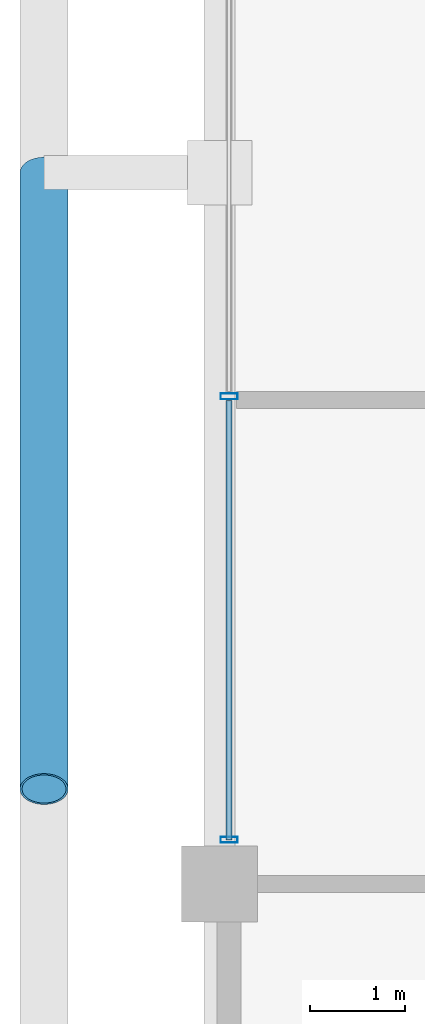
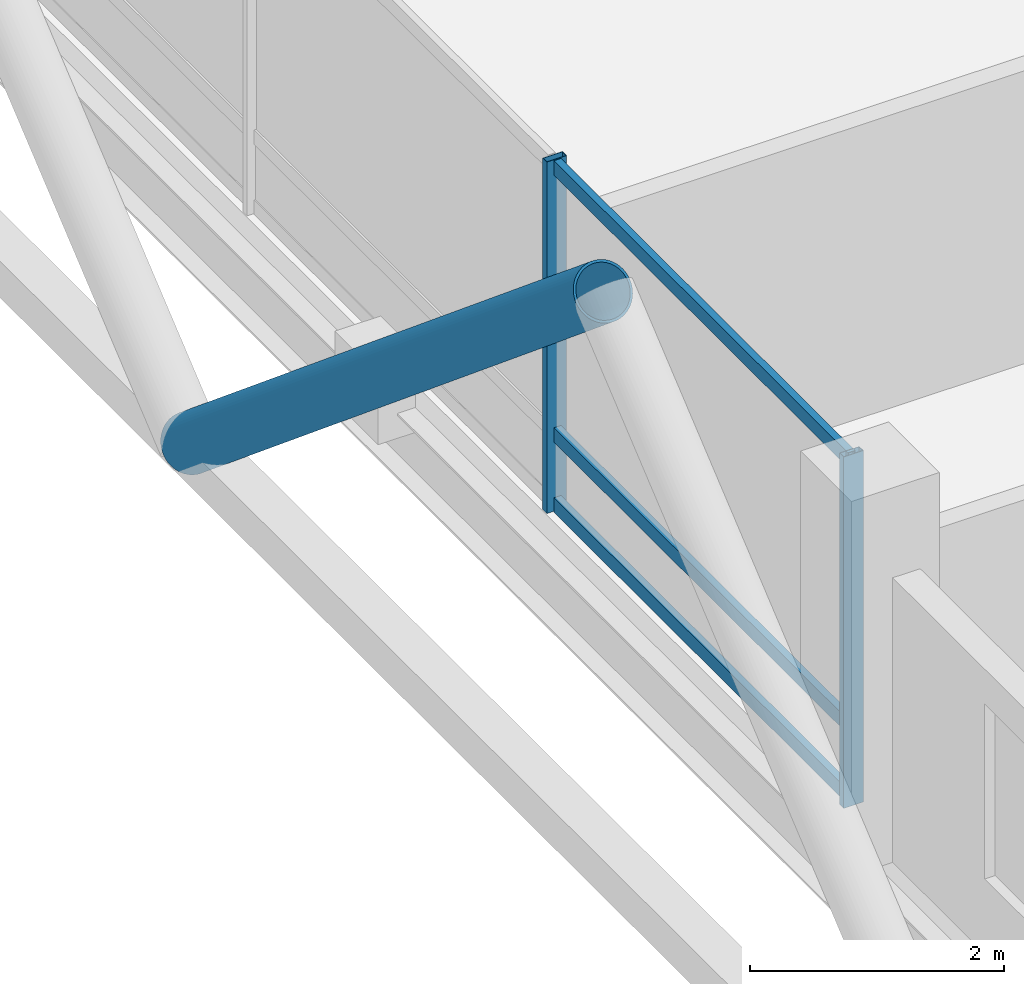
# One storey, part 5 of 24: 6 members, 1 element without a shape of its own.
"""IFC4 building model written with IfcOpenShell, lengths in metres."""

from ifc_helpers import new_model, si_unit, direction, frame, origin, origin_2d, place, context, subcontext, project, spatial, hollow_rectangle, hollow_circle, extrude, material, layer, layer_set, material_profile, profile_set, type_object, element, aggregate, save


model = new_model("IFC4")

# Units and contexts
model_context = context("Model", 3, precision=1e-05, world=origin(), true_north=direction((0.0, 1.0)))
body_context = subcontext(model_context, "Body", "Model", "MODEL_VIEW")
ifc_project = project(units=[si_unit("LENGTHUNIT", "METRE"), si_unit("AREAUNIT", "SQUARE_METRE"), si_unit("VOLUMEUNIT", "CUBIC_METRE"), si_unit("PLANEANGLEUNIT", "RADIAN"), si_unit("MASSUNIT", "GRAM", prefix="KILO")], contexts=[model_context])

# Site, building, storey
site_placement = place(None, origin())
site = spatial("IfcSite", under=ifc_project, at=site_placement, CompositionType="ELEMENT")
building_placement = place(site_placement, origin())
building = spatial("IfcBuilding", under=site, at=building_placement, Name="Barlavira Tower and Art Museum", CompositionType="ELEMENT")
storey_placement = place(building_placement, frame((0.0, 0.0, 109.800048828125)))
storey = spatial("IfcBuildingStorey", under=building, at=storey_placement, Name="L27", CompositionType="ELEMENT", Elevation=109.800048828125)

# Curtain wall, members
ifc_material_1 = material(Name="Low-iron coastal laminated glass", Category="glass")
ifc_layer = layer(ifc_material_1, 0.18994140625, Name="Low-iron coastal laminated glass")
ifc_layer_set = layer_set([ifc_layer], Name="Low-iron coastal laminated glass")
curtain_wall_type = type_object("IfcCurtainWallType", Name="Pale-Metal Unitised Curtain Wall Zone 2", PredefinedType="NOTDEFINED", material=ifc_layer_set)
curtain_wall_placement = place(storey_placement, origin())
curtain_wall = element("IfcCurtainWall", 1, at=curtain_wall_placement, inside=storey, type_object=curtain_wall_type, Name="L27 Curtain Wall CW2-L27-W-B3", PredefinedType="NOTDEFINED")
ifc_material_2 = material(Name="Pale anodised aluminium", Category="aluminium")
ifc_material_profile_1 = material_profile(ifc_material_2, hollow_rectangle(XDim=0.06494140625, YDim=0.179931640625, WallThickness=0.00390625, at=origin_2d()), Name="ALU-MULL 65x180x4")
ifc_profile_set_1 = profile_set([ifc_material_profile_1], Name="Pale anodised aluminium")
member_type_1 = type_object("IfcMemberType", Name="Curtain Wall Pale-Metal Mullion 65x180", PredefinedType="MULLION", material=ifc_profile_set_1)
member_1_placement = place(storey_placement, frame((-20.14990234375, -2.360107421875, 0.0), z_axis=(0.0, 0.0, 1.0), x_axis=(0.0, -1.0, 0.0)))
member_1 = element("IfcMember", 2, at=member_1_placement, type_object=member_type_1, Name="CW2-L27-W-B3 Mullion 2", PredefinedType="MULLION", context=body_context, shape_type="SweptSolid", body=[
    extrude(hollow_rectangle(XDim=0.06494140625, YDim=0.179931640625, WallThickness=0.00390625, at=origin_2d()), origin(), (0.0, 0.0, 1.0), 3.3798828125),
])
member_2_placement = place(storey_placement, frame((-20.14990234375, -7.034912109375, 0.0), z_axis=(0.0, 0.0, 1.0), x_axis=(0.0, -1.0, 0.0)))
member_2 = element("IfcMember", 3, at=member_2_placement, type_object=member_type_1, Name="CW2-L27-W-B3 Mullion 3", PredefinedType="MULLION", context=body_context, shape_type="SweptSolid", body=[
    extrude(hollow_rectangle(XDim=0.06494140625, YDim=0.179931640625, WallThickness=0.00390625, at=origin_2d()), origin(), (0.0, 0.0, 1.0), 3.3798828125),
])
ifc_material_profile_2 = material_profile(ifc_material_2, hollow_rectangle(XDim=0.06494140625, YDim=0.139892578125, WallThickness=0.00390625, at=origin_2d()), Name="ALU-TRAN 65x140x4")
ifc_profile_set_2 = profile_set([ifc_material_profile_2], Name="Pale anodised aluminium")
member_type_2 = type_object("IfcMemberType", Name="Curtain Wall Pale-Metal Transom 65x140", PredefinedType="USERDEFINED", material=ifc_profile_set_2)
member_3_placement = place(storey_placement, frame((-20.14990234375, -2.405029296875, 0.070068359375), z_axis=(0.0, -1.0, 0.0), x_axis=(1.0, 0.0, 0.0)))
member_3 = element("IfcMember", 4, at=member_3_placement, type_object=member_type_2, Name="CW2-L27-W-B3 Transom 2.1", ObjectType="TRANSOM", PredefinedType="USERDEFINED", context=body_context, shape_type="SweptSolid", body=[
    extrude(hollow_rectangle(XDim=0.06494140625, YDim=0.139892578125, WallThickness=0.00390625, at=origin_2d()), origin(), (0.0, 0.0, 1.0), 4.6298828125),
])
member_4_placement = place(storey_placement, frame((-20.14990234375, -2.405029296875, 0.743896484375), z_axis=(0.0, -1.0, 0.0), x_axis=(1.0, 0.0, 0.0)))
member_4 = element("IfcMember", 5, at=member_4_placement, type_object=member_type_2, Name="CW2-L27-W-B3 Transom 2.2", ObjectType="TRANSOM", PredefinedType="USERDEFINED", context=body_context, shape_type="SweptSolid", body=[
    extrude(hollow_rectangle(XDim=0.06494140625, YDim=0.139892578125, WallThickness=0.00390625, at=origin_2d()), origin(), (0.0, 0.0, 1.0), 4.6298828125),
])
member_5_placement = place(storey_placement, frame((-20.14990234375, -2.405029296875, 3.31005859375), z_axis=(0.0, -1.0, 0.0), x_axis=(1.0, 0.0, 0.0)))
member_5 = element("IfcMember", 6, at=member_5_placement, type_object=member_type_2, Name="CW2-L27-W-B3 Transom 2.3", ObjectType="TRANSOM", PredefinedType="USERDEFINED", context=body_context, shape_type="SweptSolid", body=[
    extrude(hollow_rectangle(XDim=0.06494140625, YDim=0.139892578125, WallThickness=0.00390625, at=origin_2d()), origin(), (0.0, 0.0, 1.0), 4.6298828125),
])
aggregate(curtain_wall, [member_1, member_2, member_3, member_4, member_5])

# Member
ifc_material_3 = material(Name="Steel S355", Category="steel")
ifc_material_profile_3 = material_profile(ifc_material_3, hollow_circle(Radius=0.25390625, WallThickness=0.022216796875, at=origin_2d()), Name="CHS 508.0x22.2")
ifc_profile_set_3 = profile_set([ifc_material_profile_3], Name="Steel S355")
member_type_3 = type_object("IfcMemberType", Name="Pale-Metal Exoskeleton Diagrid Tube CHS 508x22 Steel S355", PredefinedType="BRACE", material=ifc_profile_set_3)
member_6_placement = place(storey_placement, frame((-22.10009765625, 0.0, -0.1201171875), z_axis=(0.0, -0.76918185268, 0.639029950399), x_axis=(1.0, 0.0, 0.0)))
element("IfcMember", 7, at=member_6_placement, inside=storey, type_object=member_type_3, Name="L27 Exoskeleton Diagrid Tube W", PredefinedType="BRACE", context=body_context, shape_type="SweptSolid", body=[
    extrude(hollow_circle(Radius=0.25390625, WallThickness=0.022216796875, at=origin_2d()), origin(), (0.0, 0.0, 1.0), 8.450439453125),
])

save(model, "model.ifc")
